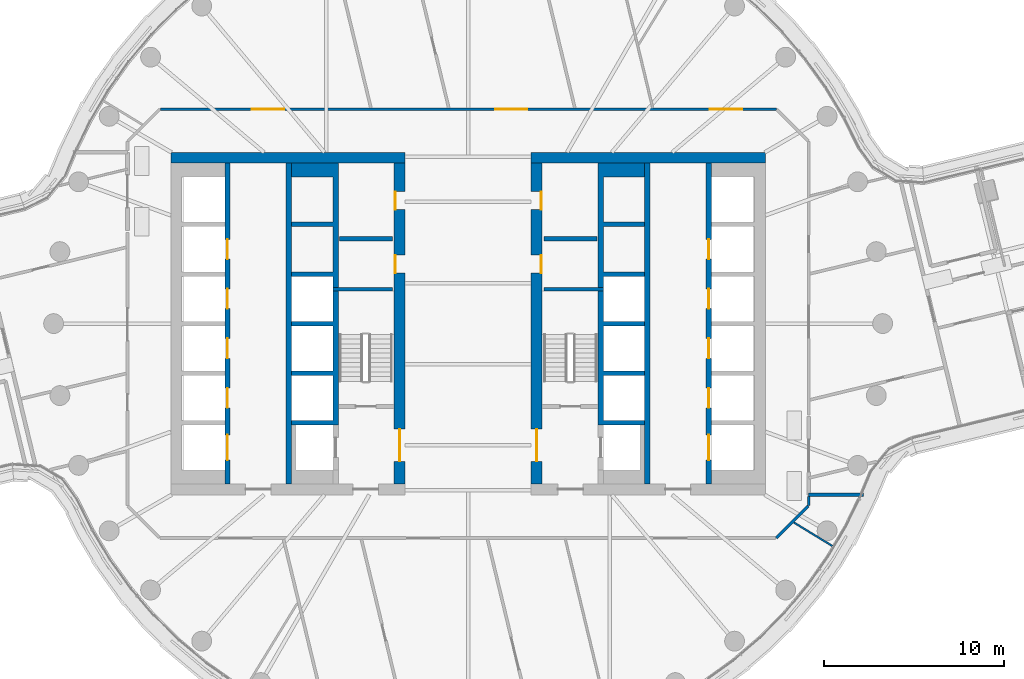
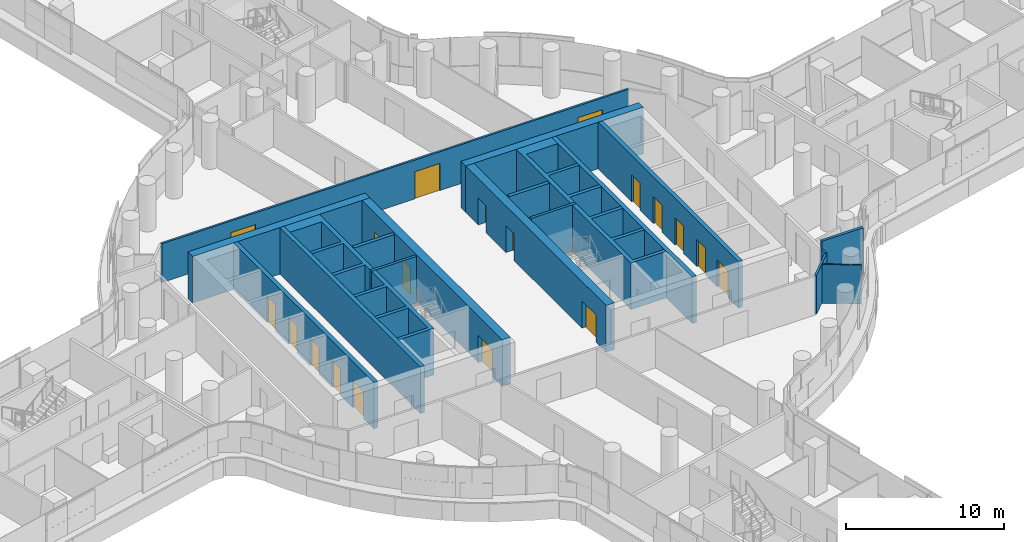
# One storey, part 21 of 33: 19 doors, 19 walls, 19 openings.
"""IFC4 building model written with IfcOpenShell, lengths in metres."""

from ifc_helpers import new_model, si_unit, direction, frame, frame_2d, origin, place, context, subcontext, project, spatial, polyline, rectangle, outline, extrude, material, layer, layer_set, type_object, element, fill, save


model = new_model("IFC4")

# Units and contexts
model_context = context("Model", 3, precision=1e-05, world=origin(), true_north=direction((0.0, 1.0)))
body_context = subcontext(model_context, "Body", "Model", "MODEL_VIEW")
ifc_project = project(units=[si_unit("LENGTHUNIT", "METRE"), si_unit("AREAUNIT", "SQUARE_METRE"), si_unit("VOLUMEUNIT", "CUBIC_METRE"), si_unit("PLANEANGLEUNIT", "RADIAN"), si_unit("MASSUNIT", "GRAM", prefix="KILO")], contexts=[model_context])

# Site, building, storey
site_placement = place(None, origin())
site = spatial("IfcSite", under=ifc_project, at=site_placement, CompositionType="ELEMENT")
building_placement = place(site_placement, origin())
building = spatial("IfcBuilding", under=site, at=building_placement, Name="Tamarind Cross Interchange Tower", CompositionType="ELEMENT")
storey_placement = place(building_placement, frame((0.0, 0.0, 83.5)))
storey = spatial("IfcBuildingStorey", under=building, at=storey_placement, Name="L19", CompositionType="ELEMENT", Elevation=83.5)

# Walls
ifc_material_1 = material(Name="Concrete C40", Category="concrete")
ifc_layer_1 = layer(ifc_material_1, 0.199951171875)
ifc_layer_set_1 = layer_set([ifc_layer_1], Name="Concrete C40")
wall_type_1 = type_object("IfcWallType", Name="Balcony and garden door wall", PredefinedType="SOLIDWALL", material=ifc_layer_set_1)
wall_1_placement = place(storey_placement, frame((18.89990234375, -9.5, 0.0), z_axis=(0.0, 0.0, 1.0), x_axis=(1.0, 0.0, 0.0)))
element("IfcWall", 1, at=wall_1_placement, inside=storey, type_object=wall_type_1, Name="EXW-L19-WG-L19-SE-R0", PredefinedType="SOLIDWALL", context=body_context, shape_type="SweptSolid", body=[
    extrude(rectangle(XDim=3.03466796875, YDim=0.199951171875, at=frame_2d((1.517333984375, 0.0))), origin(), (0.0, 0.0, 1.0), 3.610107421875),
])
ifc_material_2 = material(Name="Concrete C70", Category="concrete")
ifc_layer_2 = layer(ifc_material_2, 0.60009765625)
ifc_layer_set_2 = layer_set([ifc_layer_2], Name="Concrete C70")
wall_type_2 = type_object("IfcWallType", Name="Core wall 600 mm Concrete C70", PredefinedType="SHEAR", material=ifc_layer_set_2)
wall_2_placement = place(storey_placement, frame((-16.5, 9.199951171875, 0.0), z_axis=(0.0, 0.0, 1.0), x_axis=(1.0, 0.0, 0.0)))
element("IfcWall", 2, at=wall_2_placement, inside=storey, type_object=wall_type_2, Name="Core wall CWL-L19-W-NE", PredefinedType="SHEAR", context=body_context, shape_type="SweptSolid", body=[
    extrude(rectangle(XDim=13.0, YDim=0.60009765625, at=frame_2d((6.5, 0.0))), origin(), (0.0, 0.0, 1.0), 3.610107421875),
])

# Wall, openings, doors
wall_3_placement = place(storey_placement, frame((-3.800048828125, -8.89990234375, 0.0), z_axis=(0.0, 0.0, 1.0), x_axis=(0.0, 1.0, 0.0)))
wall_3 = element("IfcWall", 3, at=wall_3_placement, inside=storey, type_object=wall_type_2, Name="Core wall CWL-L19-W-IN", PredefinedType="SHEAR", context=body_context, shape_type="SweptSolid", body=[
    extrude(rectangle(XDim=17.7998046875, YDim=0.60009765625, at=frame_2d((8.89990234375, 0.0))), origin(), (0.0, 0.0, 1.0), 3.610107421875),
])
opening_1_placement = place(wall_3_placement, frame((1.25, 0.0, 0.0)))
opening_1 = element("IfcOpeningElement", 4, at=opening_1_placement, cuts=wall_3, Name="Opening DCW4", PredefinedType="OPENING", context=body_context, shape_type="SweptSolid", body=[
    extrude(rectangle(XDim=1.800048828125, YDim=2.10009765625, at=frame_2d((0.89990234375, 1.050048828125))), frame((0.0, 0.31005859375, 0.0), z_axis=(0.0, -1.0, 0.0), x_axis=(1.0, 0.0, 0.0)), (0.0, 0.0, 1.0), 0.6201171875),
])
opening_2_placement = place(wall_3_placement, frame((11.697509765625, 0.0, 0.0)))
opening_2 = element("IfcOpeningElement", 5, at=opening_2_placement, cuts=wall_3, Name="Opening DCW5", PredefinedType="OPENING", context=body_context, shape_type="SweptSolid", body=[
    extrude(rectangle(XDim=1.0, YDim=2.10009765625, at=frame_2d((0.5, 1.050048828125))), frame((0.0, 0.31005859375, 0.0), z_axis=(0.0, -1.0, 0.0), x_axis=(1.0, 0.0, 0.0)), (0.0, 0.0, 1.0), 0.6201171875),
])
opening_3_placement = place(wall_3_placement, frame((15.222412109375, 0.0, 0.0)))
opening_3 = element("IfcOpeningElement", 6, at=opening_3_placement, cuts=wall_3, Name="Opening DCW5", PredefinedType="OPENING", context=body_context, shape_type="SweptSolid", body=[
    extrude(rectangle(XDim=1.0, YDim=2.10009765625, at=frame_2d((0.5, 1.050048828125))), frame((0.0, 0.31005859375, 0.0), z_axis=(0.0, -1.0, 0.0), x_axis=(1.0, 0.0, 0.0)), (0.0, 0.0, 1.0), 0.6201171875),
])
ifc_material_3 = material(Name="Steel, fire-resisting", Category="steel")
door_type_1 = type_object("IfcDoorType", Name="Core fire door 1000 x 2100 FD90", OperationType="SINGLE_SWING_LEFT", PredefinedType="DOOR", material=ifc_material_3)
door_1_placement = place(opening_2_placement, origin())
door_1 = element("IfcDoor", 7, at=door_1_placement, inside=storey, type_object=door_type_1, Name="L19 comms room door", OperationType="SINGLE_SWING_LEFT", OverallHeight=2.10009765625, OverallWidth=1.0, PredefinedType="DOOR", context=body_context, shape_type="SweptSolid", body=[
    extrude(rectangle(XDim=1.0, YDim=2.10009765625, at=frame_2d((0.5, 1.050048828125))), frame((0.0, 0.27490234375, 0.0), z_axis=(0.0, -1.0, 0.0), x_axis=(1.0, 0.0, 0.0)), (0.0, 0.0, 1.0), 0.050048828125),
])
fill(opening_2, door_1)
door_2_placement = place(opening_3_placement, origin())
door_2 = element("IfcDoor", 8, at=door_2_placement, inside=storey, type_object=door_type_1, Name="L19 cleaner's store door", OperationType="SINGLE_SWING_LEFT", OverallHeight=2.10009765625, OverallWidth=1.0, PredefinedType="DOOR", context=body_context, shape_type="SweptSolid", body=[
    extrude(rectangle(XDim=1.0, YDim=2.10009765625, at=frame_2d((0.5, 1.050048828125))), frame((0.0, 0.27490234375, 0.0), z_axis=(0.0, -1.0, 0.0), x_axis=(1.0, 0.0, 0.0)), (0.0, 0.0, 1.0), 0.050048828125),
])
fill(opening_3, door_2)
door_type_2 = type_object("IfcDoorType", Name="Core fire door 1800 x 2100 FD90", OperationType="SINGLE_SWING_LEFT", PredefinedType="DOOR", material=ifc_material_3)
door_3_placement = place(opening_1_placement, origin())
door_3 = element("IfcDoor", 9, at=door_3_placement, inside=storey, type_object=door_type_2, Name="L19 firefighting lobby door", OperationType="SINGLE_SWING_LEFT", OverallHeight=2.10009765625, OverallWidth=1.800048828125, PredefinedType="DOOR", context=body_context, shape_type="SweptSolid", body=[
    extrude(rectangle(XDim=1.800048828125, YDim=2.10009765625, at=frame_2d((0.89990234375, 1.050048828125))), frame((0.0, 0.02490234375, 0.0), z_axis=(0.0, -1.0, 0.0), x_axis=(1.0, 0.0, 0.0)), (0.0, 0.0, 1.0), 0.050048828125),
])
fill(opening_1, door_3)

# Wall
wall_4_placement = place(storey_placement, frame((16.5, 9.199951171875, 0.0), z_axis=(0.0, 0.0, 1.0), x_axis=(-1.0, 0.0, 0.0)))
element("IfcWall", 10, at=wall_4_placement, inside=storey, type_object=wall_type_2, Name="Core wall CWL-L19-E-NE", PredefinedType="SHEAR", context=body_context, shape_type="SweptSolid", body=[
    extrude(rectangle(XDim=13.0, YDim=0.60009765625, at=frame_2d((6.5, 0.0))), origin(), (0.0, 0.0, 1.0), 3.610107421875),
])

# Wall, openings, doors
wall_5_placement = place(storey_placement, frame((3.800048828125, -8.89990234375, 0.0), z_axis=(0.0, 0.0, 1.0), x_axis=(0.0, 1.0, 0.0)))
wall_5 = element("IfcWall", 11, at=wall_5_placement, inside=storey, type_object=wall_type_2, Name="Core wall CWL-L19-E-IN", PredefinedType="SHEAR", context=body_context, shape_type="SweptSolid", body=[
    extrude(rectangle(XDim=17.7998046875, YDim=0.60009765625, at=frame_2d((8.89990234375, 0.0))), origin(), (0.0, 0.0, 1.0), 3.610107421875),
])
opening_4_placement = place(wall_5_placement, frame((1.25, 0.0, 0.0)))
opening_4 = element("IfcOpeningElement", 12, at=opening_4_placement, cuts=wall_5, Name="Opening DCE4", PredefinedType="OPENING", context=body_context, shape_type="SweptSolid", body=[
    extrude(rectangle(XDim=1.800048828125, YDim=2.10009765625, at=frame_2d((0.89990234375, 1.050048828125))), frame((0.0, 0.31005859375, 0.0), z_axis=(0.0, -1.0, 0.0), x_axis=(1.0, 0.0, 0.0)), (0.0, 0.0, 1.0), 0.6201171875),
])
opening_5_placement = place(wall_5_placement, frame((11.697509765625, 0.0, 0.0)))
opening_5 = element("IfcOpeningElement", 13, at=opening_5_placement, cuts=wall_5, Name="Opening DCE5", PredefinedType="OPENING", context=body_context, shape_type="SweptSolid", body=[
    extrude(rectangle(XDim=1.0, YDim=2.10009765625, at=frame_2d((0.5, 1.050048828125))), frame((0.0, 0.31005859375, 0.0), z_axis=(0.0, -1.0, 0.0), x_axis=(1.0, 0.0, 0.0)), (0.0, 0.0, 1.0), 0.6201171875),
])
opening_6_placement = place(wall_5_placement, frame((15.222412109375, 0.0, 0.0)))
opening_6 = element("IfcOpeningElement", 14, at=opening_6_placement, cuts=wall_5, Name="Opening DCE5", PredefinedType="OPENING", context=body_context, shape_type="SweptSolid", body=[
    extrude(rectangle(XDim=1.0, YDim=2.10009765625, at=frame_2d((0.5, 1.050048828125))), frame((0.0, 0.31005859375, 0.0), z_axis=(0.0, -1.0, 0.0), x_axis=(1.0, 0.0, 0.0)), (0.0, 0.0, 1.0), 0.6201171875),
])
door_4_placement = place(opening_5_placement, origin())
door_4 = element("IfcDoor", 15, at=door_4_placement, inside=storey, type_object=door_type_1, Name="L19 comms room door", OperationType="SINGLE_SWING_LEFT", OverallHeight=2.10009765625, OverallWidth=1.0, PredefinedType="DOOR", context=body_context, shape_type="SweptSolid", body=[
    extrude(rectangle(XDim=1.0, YDim=2.10009765625, at=frame_2d((0.5, 1.050048828125))), frame((0.0, -0.22509765625, 0.0), z_axis=(0.0, -1.0, 0.0), x_axis=(1.0, 0.0, 0.0)), (0.0, 0.0, 1.0), 0.050048828125),
])
fill(opening_5, door_4)
door_5_placement = place(opening_6_placement, origin())
door_5 = element("IfcDoor", 16, at=door_5_placement, inside=storey, type_object=door_type_1, Name="L19 cleaner's store door", OperationType="SINGLE_SWING_LEFT", OverallHeight=2.10009765625, OverallWidth=1.0, PredefinedType="DOOR", context=body_context, shape_type="SweptSolid", body=[
    extrude(rectangle(XDim=1.0, YDim=2.10009765625, at=frame_2d((0.5, 1.050048828125))), frame((0.0, -0.22509765625, 0.0), z_axis=(0.0, -1.0, 0.0), x_axis=(1.0, 0.0, 0.0)), (0.0, 0.0, 1.0), 0.050048828125),
])
fill(opening_6, door_5)
door_6_placement = place(opening_4_placement, origin())
door_6 = element("IfcDoor", 17, at=door_6_placement, inside=storey, type_object=door_type_2, Name="L19 firefighting lobby door", OperationType="SINGLE_SWING_LEFT", OverallHeight=2.10009765625, OverallWidth=1.800048828125, PredefinedType="DOOR", context=body_context, shape_type="SweptSolid", body=[
    extrude(rectangle(XDim=1.800048828125, YDim=2.10009765625, at=frame_2d((0.89990234375, 1.050048828125))), frame((0.0, 0.02490234375, 0.0), z_axis=(0.0, -1.0, 0.0), x_axis=(1.0, 0.0, 0.0)), (0.0, 0.0, 1.0), 0.050048828125),
])
fill(opening_4, door_6)

# Walls
ifc_layer_3 = layer(ifc_material_2, 0.199951171875)
ifc_layer_set_3 = layer_set([ifc_layer_3], Name="Concrete C70")
wall_type_3 = type_object("IfcWallType", Name="Core web wall 200 mm Concrete C70", PredefinedType="SHEAR", material=ifc_layer_set_3)
for number, where, z_axis, x_axis, name in (
    (18, (-7.5, 1.89990234375, 0.0), (0.0, 0.0, 1.0), (1.0, 0.0, 0.0), "Core wall CWL-L19-W-BD"),
    (19, (7.5, 1.89990234375, 0.0), (0.0, 0.0, 1.0), (-1.0, 0.0, 0.0), "Core wall CWL-L19-E-BD"),
):
    element("IfcWall", number, at=place(storey_placement, frame(where, z_axis=z_axis, x_axis=x_axis)), inside=storey, type_object=wall_type_3, Name=name, PredefinedType="SHEAR", context=body_context, shape_type="SweptSolid", body=[
        extrude(rectangle(XDim=3.300048828125, YDim=0.199951171875, at=frame_2d((1.64990234375, 0.0))), origin(), (0.0, 0.0, 1.0), 3.610107421875),
    ])
ifc_layer_4 = layer(ifc_material_2, 0.300048828125)
ifc_layer_set_4 = layer_set([ifc_layer_4], Name="Concrete C70")
wall_type_4 = type_object("IfcWallType", Name="Core web wall 300 mm Concrete C70", PredefinedType="SHEAR", material=ifc_layer_set_4)
wall_6_placement = place(storey_placement, origin())
element("IfcWall", 20, at=wall_6_placement, inside=storey, type_object=wall_type_4, Name="Core wall CWL-L19-W-BN", PredefinedType="SHEAR", context=body_context, shape_type="SweptSolid", body=[
    extrude(outline(polyline([(-9.800048828125, -5.375), (-9.800048828125, -5.625), (-7.5, -5.625), (-7.199951171875, -5.625), (-7.199951171875, 8.89990234375), (-7.5, 8.89990234375), (-9.800048828125, 8.89990234375), (-9.800048828125, 8.125), (-7.5, 8.125), (-7.5, 5.625), (-9.800048828125, 5.625), (-9.800048828125, 5.375), (-7.5, 5.375), (-7.5, 2.875), (-9.800048828125, 2.875), (-9.800048828125, 2.625), (-7.5, 2.625), (-7.5, 0.125), (-9.800048828125, 0.125), (-9.800048828125, -0.125), (-7.5, -0.125), (-7.5, -2.625), (-9.800048828125, -2.625), (-9.800048828125, -2.875), (-7.5, -2.875), (-7.5, -5.375), (-9.800048828125, -5.375)])), origin(), (0.0, 0.0, 1.0), 3.610107421875),
])

# Wall, openings, doors
wall_7_placement = place(storey_placement, frame((-13.35009765625, -8.89990234375, 0.0), z_axis=(0.0, 0.0, 1.0), x_axis=(0.0, 1.0, 0.0)))
wall_7 = element("IfcWall", 21, at=wall_7_placement, inside=storey, type_object=wall_type_4, Name="Core wall CWL-L19-W-LA", PredefinedType="SHEAR", context=body_context, shape_type="SweptSolid", body=[
    extrude(rectangle(XDim=17.7998046875, YDim=0.300048828125, at=frame_2d((8.89990234375, 0.0))), origin(), (0.0, 0.0, 1.0), 3.610107421875),
])
opening_7_placement = place(wall_7_placement, frame((1.324951171875, 0.0, 0.0)))
opening_7 = element("IfcOpeningElement", 22, at=opening_7_placement, cuts=wall_7, Name="Opening LD1L19", PredefinedType="OPENING", context=body_context, shape_type="SweptSolid", body=[
    extrude(rectangle(XDim=1.39990234375, YDim=2.10009765625, at=frame_2d((0.699951171875, 1.050048828125))), frame((0.0, 0.159912109375, 0.0), z_axis=(0.0, -1.0, 0.0), x_axis=(1.0, 0.0, 0.0)), (0.0, 0.0, 1.0), 0.320068359375),
])
opening_8_placement = place(wall_7_placement, frame((4.22509765625, 0.0, 0.0)))
opening_8 = element("IfcOpeningElement", 23, at=opening_8_placement, cuts=wall_7, Name="Opening LD2L19", PredefinedType="OPENING", context=body_context, shape_type="SweptSolid", body=[
    extrude(rectangle(XDim=1.10009765625, YDim=2.10009765625, at=frame_2d((0.550048828125, 1.050048828125))), frame((0.0, 0.159912109375, 0.0), z_axis=(0.0, -1.0, 0.0), x_axis=(1.0, 0.0, 0.0)), (0.0, 0.0, 1.0), 0.320068359375),
])
opening_9_placement = place(wall_7_placement, frame((6.97509765625, 0.0, 0.0)))
opening_9 = element("IfcOpeningElement", 24, at=opening_9_placement, cuts=wall_7, Name="Opening LD3L19", PredefinedType="OPENING", context=body_context, shape_type="SweptSolid", body=[
    extrude(rectangle(XDim=1.10009765625, YDim=2.10009765625, at=frame_2d((0.550048828125, 1.050048828125))), frame((0.0, 0.159912109375, 0.0), z_axis=(0.0, -1.0, 0.0), x_axis=(1.0, 0.0, 0.0)), (0.0, 0.0, 1.0), 0.320068359375),
])
opening_10_placement = place(wall_7_placement, frame((9.72509765625, 0.0, 0.0)))
opening_10 = element("IfcOpeningElement", 25, at=opening_10_placement, cuts=wall_7, Name="Opening LD4L19", PredefinedType="OPENING", context=body_context, shape_type="SweptSolid", body=[
    extrude(rectangle(XDim=1.10009765625, YDim=2.10009765625, at=frame_2d((0.550048828125, 1.050048828125))), frame((0.0, 0.159912109375, 0.0), z_axis=(0.0, -1.0, 0.0), x_axis=(1.0, 0.0, 0.0)), (0.0, 0.0, 1.0), 0.320068359375),
])
opening_11_placement = place(wall_7_placement, frame((12.47509765625, 0.0, 0.0)))
opening_11 = element("IfcOpeningElement", 26, at=opening_11_placement, cuts=wall_7, Name="Opening LD5L19", PredefinedType="OPENING", context=body_context, shape_type="SweptSolid", body=[
    extrude(rectangle(XDim=1.10009765625, YDim=2.10009765625, at=frame_2d((0.550048828125, 1.050048828125))), frame((0.0, 0.159912109375, 0.0), z_axis=(0.0, -1.0, 0.0), x_axis=(1.0, 0.0, 0.0)), (0.0, 0.0, 1.0), 0.320068359375),
])
ifc_material_4 = material(Name="Stainless steel panel", Category="steel")
door_type_3 = type_object("IfcDoorType", Name="Lift landing door 1100 x 2100 E 120", OperationType="SLIDING_TO_LEFT", PredefinedType="DOOR", material=ifc_material_4)
door_7_placement = place(opening_8_placement, origin())
door_7 = element("IfcDoor", 27, at=door_7_placement, inside=storey, type_object=door_type_3, Name="L19 landing door LF2", OperationType="SLIDING_TO_LEFT", OverallHeight=2.10009765625, OverallWidth=1.10009765625, PredefinedType="DOOR", context=body_context, shape_type="SweptSolid", body=[
    extrude(rectangle(XDim=1.10009765625, YDim=2.10009765625, at=frame_2d((0.550048828125, 1.050048828125))), frame((0.0, 0.02490234375, 0.0), z_axis=(0.0, -1.0, 0.0), x_axis=(1.0, 0.0, 0.0)), (0.0, 0.0, 1.0), 0.050048828125),
])
fill(opening_8, door_7)
door_8_placement = place(opening_9_placement, origin())
door_8 = element("IfcDoor", 28, at=door_8_placement, inside=storey, type_object=door_type_3, Name="L19 landing door LF3", OperationType="SLIDING_TO_LEFT", OverallHeight=2.10009765625, OverallWidth=1.10009765625, PredefinedType="DOOR", context=body_context, shape_type="SweptSolid", body=[
    extrude(rectangle(XDim=1.10009765625, YDim=2.10009765625, at=frame_2d((0.550048828125, 1.050048828125))), frame((0.0, 0.02490234375, 0.0), z_axis=(0.0, -1.0, 0.0), x_axis=(1.0, 0.0, 0.0)), (0.0, 0.0, 1.0), 0.050048828125),
])
fill(opening_9, door_8)
door_9_placement = place(opening_10_placement, origin())
door_9 = element("IfcDoor", 29, at=door_9_placement, inside=storey, type_object=door_type_3, Name="L19 landing door LF4", OperationType="SLIDING_TO_LEFT", OverallHeight=2.10009765625, OverallWidth=1.10009765625, PredefinedType="DOOR", context=body_context, shape_type="SweptSolid", body=[
    extrude(rectangle(XDim=1.10009765625, YDim=2.10009765625, at=frame_2d((0.550048828125, 1.050048828125))), frame((0.0, 0.02490234375, 0.0), z_axis=(0.0, -1.0, 0.0), x_axis=(1.0, 0.0, 0.0)), (0.0, 0.0, 1.0), 0.050048828125),
])
fill(opening_10, door_9)
door_10_placement = place(opening_11_placement, origin())
door_10 = element("IfcDoor", 30, at=door_10_placement, inside=storey, type_object=door_type_3, Name="L19 landing door LF5", OperationType="SLIDING_TO_LEFT", OverallHeight=2.10009765625, OverallWidth=1.10009765625, PredefinedType="DOOR", context=body_context, shape_type="SweptSolid", body=[
    extrude(rectangle(XDim=1.10009765625, YDim=2.10009765625, at=frame_2d((0.550048828125, 1.050048828125))), frame((0.0, 0.02490234375, 0.0), z_axis=(0.0, -1.0, 0.0), x_axis=(1.0, 0.0, 0.0)), (0.0, 0.0, 1.0), 0.050048828125),
])
fill(opening_11, door_10)
door_type_4 = type_object("IfcDoorType", Name="Lift landing door 1400 x 2100 E 120", OperationType="SLIDING_TO_LEFT", PredefinedType="DOOR", material=ifc_material_4)
door_11_placement = place(opening_7_placement, origin())
door_11 = element("IfcDoor", 31, at=door_11_placement, inside=storey, type_object=door_type_4, Name="L19 landing door LF1", OperationType="SLIDING_TO_LEFT", OverallHeight=2.10009765625, OverallWidth=1.39990234375, PredefinedType="DOOR", context=body_context, shape_type="SweptSolid", body=[
    extrude(rectangle(XDim=1.39990234375, YDim=2.10009765625, at=frame_2d((0.699951171875, 1.050048828125))), frame((0.0, 0.02490234375, 0.0), z_axis=(0.0, -1.0, 0.0), x_axis=(1.0, 0.0, 0.0)), (0.0, 0.0, 1.0), 0.050048828125),
])
fill(opening_7, door_11)

# Walls
wall_8_placement = place(storey_placement, frame((-9.949951171875, -8.89990234375, 0.0), z_axis=(0.0, 0.0, 1.0), x_axis=(0.0, 1.0, 0.0)))
element("IfcWall", 32, at=wall_8_placement, inside=storey, type_object=wall_type_4, Name="Core wall CWL-L19-W-LB", PredefinedType="SHEAR", context=body_context, shape_type="SweptSolid", body=[
    extrude(rectangle(XDim=17.7998046875, YDim=0.300048828125, at=frame_2d((8.89990234375, 0.0))), origin(), (0.0, 0.0, 1.0), 3.610107421875),
])
wall_9_placement = place(storey_placement, origin())
element("IfcWall", 33, at=wall_9_placement, inside=storey, type_object=wall_type_4, Name="Core wall CWL-L19-E-BN", PredefinedType="SHEAR", context=body_context, shape_type="SweptSolid", body=[
    extrude(outline(polyline([(9.800048828125, -5.375), (7.5, -5.375), (7.5, -2.875), (9.800048828125, -2.875), (9.800048828125, -2.625), (7.5, -2.625), (7.5, -0.125), (9.800048828125, -0.125), (9.800048828125, 0.125), (7.5, 0.125), (7.5, 2.625), (9.800048828125, 2.625), (9.800048828125, 2.875), (7.5, 2.875), (7.5, 5.375), (9.800048828125, 5.375), (9.800048828125, 5.625), (7.5, 5.625), (7.5, 8.125), (9.800048828125, 8.125), (9.800048828125, 8.89990234375), (7.5, 8.89990234375), (7.199951171875, 8.89990234375), (7.199951171875, -5.625), (7.5, -5.625), (9.800048828125, -5.625), (9.800048828125, -5.375)])), origin(), (0.0, 0.0, 1.0), 3.610107421875),
])

# Wall, openings, doors
wall_10_placement = place(storey_placement, frame((13.35009765625, -8.89990234375, 0.0), z_axis=(0.0, 0.0, 1.0), x_axis=(0.0, 1.0, 0.0)))
wall_10 = element("IfcWall", 34, at=wall_10_placement, inside=storey, type_object=wall_type_4, Name="Core wall CWL-L19-E-LA", PredefinedType="SHEAR", context=body_context, shape_type="SweptSolid", body=[
    extrude(rectangle(XDim=17.7998046875, YDim=0.300048828125, at=frame_2d((8.89990234375, 0.0))), origin(), (0.0, 0.0, 1.0), 3.610107421875),
])
opening_12_placement = place(wall_10_placement, frame((1.324951171875, 0.0, 0.0)))
opening_12 = element("IfcOpeningElement", 35, at=opening_12_placement, cuts=wall_10, Name="Opening LD13L19", PredefinedType="OPENING", context=body_context, shape_type="SweptSolid", body=[
    extrude(rectangle(XDim=1.39990234375, YDim=2.10009765625, at=frame_2d((0.699951171875, 1.050048828125))), frame((0.0, 0.159912109375, 0.0), z_axis=(0.0, -1.0, 0.0), x_axis=(1.0, 0.0, 0.0)), (0.0, 0.0, 1.0), 0.320068359375),
])
opening_13_placement = place(wall_10_placement, frame((4.22509765625, 0.0, 0.0)))
opening_13 = element("IfcOpeningElement", 36, at=opening_13_placement, cuts=wall_10, Name="Opening LD14L19", PredefinedType="OPENING", context=body_context, shape_type="SweptSolid", body=[
    extrude(rectangle(XDim=1.10009765625, YDim=2.10009765625, at=frame_2d((0.550048828125, 1.050048828125))), frame((0.0, 0.159912109375, 0.0), z_axis=(0.0, -1.0, 0.0), x_axis=(1.0, 0.0, 0.0)), (0.0, 0.0, 1.0), 0.320068359375),
])
opening_14_placement = place(wall_10_placement, frame((6.97509765625, 0.0, 0.0)))
opening_14 = element("IfcOpeningElement", 37, at=opening_14_placement, cuts=wall_10, Name="Opening LD15L19", PredefinedType="OPENING", context=body_context, shape_type="SweptSolid", body=[
    extrude(rectangle(XDim=1.10009765625, YDim=2.10009765625, at=frame_2d((0.550048828125, 1.050048828125))), frame((0.0, 0.159912109375, 0.0), z_axis=(0.0, -1.0, 0.0), x_axis=(1.0, 0.0, 0.0)), (0.0, 0.0, 1.0), 0.320068359375),
])
opening_15_placement = place(wall_10_placement, frame((9.72509765625, 0.0, 0.0)))
opening_15 = element("IfcOpeningElement", 38, at=opening_15_placement, cuts=wall_10, Name="Opening LD16L19", PredefinedType="OPENING", context=body_context, shape_type="SweptSolid", body=[
    extrude(rectangle(XDim=1.10009765625, YDim=2.10009765625, at=frame_2d((0.550048828125, 1.050048828125))), frame((0.0, 0.159912109375, 0.0), z_axis=(0.0, -1.0, 0.0), x_axis=(1.0, 0.0, 0.0)), (0.0, 0.0, 1.0), 0.320068359375),
])
opening_16_placement = place(wall_10_placement, frame((12.47509765625, 0.0, 0.0)))
opening_16 = element("IfcOpeningElement", 39, at=opening_16_placement, cuts=wall_10, Name="Opening LD17L19", PredefinedType="OPENING", context=body_context, shape_type="SweptSolid", body=[
    extrude(rectangle(XDim=1.10009765625, YDim=2.10009765625, at=frame_2d((0.550048828125, 1.050048828125))), frame((0.0, 0.159912109375, 0.0), z_axis=(0.0, -1.0, 0.0), x_axis=(1.0, 0.0, 0.0)), (0.0, 0.0, 1.0), 0.320068359375),
])
door_12_placement = place(opening_13_placement, origin())
door_12 = element("IfcDoor", 40, at=door_12_placement, inside=storey, type_object=door_type_3, Name="L19 landing door LF14", OperationType="SLIDING_TO_LEFT", OverallHeight=2.10009765625, OverallWidth=1.10009765625, PredefinedType="DOOR", context=body_context, shape_type="SweptSolid", body=[
    extrude(rectangle(XDim=1.10009765625, YDim=2.10009765625, at=frame_2d((0.550048828125, 1.050048828125))), frame((0.0, 0.02490234375, 0.0), z_axis=(0.0, -1.0, 0.0), x_axis=(1.0, 0.0, 0.0)), (0.0, 0.0, 1.0), 0.050048828125),
])
fill(opening_13, door_12)
door_13_placement = place(opening_14_placement, origin())
door_13 = element("IfcDoor", 41, at=door_13_placement, inside=storey, type_object=door_type_3, Name="L19 landing door LF15", OperationType="SLIDING_TO_LEFT", OverallHeight=2.10009765625, OverallWidth=1.10009765625, PredefinedType="DOOR", context=body_context, shape_type="SweptSolid", body=[
    extrude(rectangle(XDim=1.10009765625, YDim=2.10009765625, at=frame_2d((0.550048828125, 1.050048828125))), frame((0.0, 0.02490234375, 0.0), z_axis=(0.0, -1.0, 0.0), x_axis=(1.0, 0.0, 0.0)), (0.0, 0.0, 1.0), 0.050048828125),
])
fill(opening_14, door_13)
door_14_placement = place(opening_15_placement, origin())
door_14 = element("IfcDoor", 42, at=door_14_placement, inside=storey, type_object=door_type_3, Name="L19 landing door LF16", OperationType="SLIDING_TO_LEFT", OverallHeight=2.10009765625, OverallWidth=1.10009765625, PredefinedType="DOOR", context=body_context, shape_type="SweptSolid", body=[
    extrude(rectangle(XDim=1.10009765625, YDim=2.10009765625, at=frame_2d((0.550048828125, 1.050048828125))), frame((0.0, 0.02490234375, 0.0), z_axis=(0.0, -1.0, 0.0), x_axis=(1.0, 0.0, 0.0)), (0.0, 0.0, 1.0), 0.050048828125),
])
fill(opening_15, door_14)
door_15_placement = place(opening_16_placement, origin())
door_15 = element("IfcDoor", 43, at=door_15_placement, inside=storey, type_object=door_type_3, Name="L19 landing door LF17", OperationType="SLIDING_TO_LEFT", OverallHeight=2.10009765625, OverallWidth=1.10009765625, PredefinedType="DOOR", context=body_context, shape_type="SweptSolid", body=[
    extrude(rectangle(XDim=1.10009765625, YDim=2.10009765625, at=frame_2d((0.550048828125, 1.050048828125))), frame((0.0, 0.02490234375, 0.0), z_axis=(0.0, -1.0, 0.0), x_axis=(1.0, 0.0, 0.0)), (0.0, 0.0, 1.0), 0.050048828125),
])
fill(opening_16, door_15)
door_16_placement = place(opening_12_placement, origin())
door_16 = element("IfcDoor", 44, at=door_16_placement, inside=storey, type_object=door_type_4, Name="L19 landing door LF13", OperationType="SLIDING_TO_LEFT", OverallHeight=2.10009765625, OverallWidth=1.39990234375, PredefinedType="DOOR", context=body_context, shape_type="SweptSolid", body=[
    extrude(rectangle(XDim=1.39990234375, YDim=2.10009765625, at=frame_2d((0.699951171875, 1.050048828125))), frame((0.0, 0.02490234375, 0.0), z_axis=(0.0, -1.0, 0.0), x_axis=(1.0, 0.0, 0.0)), (0.0, 0.0, 1.0), 0.050048828125),
])
fill(opening_12, door_16)

# Walls
wall_11_placement = place(storey_placement, frame((9.949951171875, -8.89990234375, 0.0), z_axis=(0.0, 0.0, 1.0), x_axis=(0.0, 1.0, 0.0)))
element("IfcWall", 45, at=wall_11_placement, inside=storey, type_object=wall_type_4, Name="Core wall CWL-L19-E-LB", PredefinedType="SHEAR", context=body_context, shape_type="SweptSolid", body=[
    extrude(rectangle(XDim=17.7998046875, YDim=0.300048828125, at=frame_2d((8.89990234375, 0.0))), origin(), (0.0, 0.0, 1.0), 3.610107421875),
])
ifc_material_5 = material(Name="Gypsum board partition on steel studs", Category="steel")
ifc_layer_5 = layer(ifc_material_5, 0.10009765625)
ifc_layer_set_5 = layer_set([ifc_layer_5], Name="Gypsum board partition on steel studs")
wall_type_5 = type_object("IfcWallType", Name="Partition 100 mm EI 90", PredefinedType="PARTITIONING", material=ifc_layer_set_5)
wall_12_placement = place(storey_placement, frame((18.07763671875, -11.037841796875, 0.0), z_axis=(0.0, 0.0, 1.0), x_axis=(0.853480027223, -0.521125554096, 0.0)))
element("IfcWall", 46, at=wall_12_placement, inside=storey, type_object=wall_type_5, Name="Partition L19-040", PredefinedType="PARTITIONING", context=body_context, shape_type="SweptSolid", body=[
    extrude(rectangle(XDim=2.49609375, YDim=0.10009765625, at=frame_2d((1.248046875, 0.0))), origin(), (0.0, 0.0, 1.0), 3.010009765625),
])

# Wall, openings, doors
ifc_layer_6 = layer(ifc_material_5, 0.14990234375)
ifc_layer_set_6 = layer_set([ifc_layer_6], Name="Gypsum board partition on steel studs")
wall_type_6 = type_object("IfcWallType", Name="Partition 150 mm EI 120", PredefinedType="PARTITIONING", material=ifc_layer_set_6)
wall_13_placement = place(storey_placement, frame((-17.06494140625, 11.89990234375, 0.0), z_axis=(0.0, 0.0, 1.0), x_axis=(1.0, 0.0, 0.0)))
wall_13 = element("IfcWall", 47, at=wall_13_placement, inside=storey, type_object=wall_type_6, Name="Partition L19-042", PredefinedType="PARTITIONING", context=body_context, shape_type="SweptSolid", body=[
    extrude(rectangle(XDim=34.1650390625, YDim=0.14990234375, at=frame_2d((17.08251953125, 0.0))), origin(), (0.0, 0.0, 1.0), 3.010009765625),
])
opening_17_placement = place(wall_13_placement, frame((18.556884765625, 0.0, 0.0)))
opening_17 = element("IfcOpeningElement", 48, at=opening_17_placement, cuts=wall_13, Name="Opening D21", PredefinedType="OPENING", context=body_context, shape_type="SweptSolid", body=[
    extrude(rectangle(XDim=1.800048828125, YDim=2.10009765625, at=frame_2d((0.89990234375, 1.050048828125))), frame((0.0, 0.0849609375, 0.0), z_axis=(0.0, -1.0, 0.0), x_axis=(1.0, 0.0, 0.0)), (0.0, 0.0, 1.0), 0.169921875),
])
opening_18_placement = place(wall_13_placement, frame((30.47412109375, 0.0, 0.0)))
opening_18 = element("IfcOpeningElement", 49, at=opening_18_placement, cuts=wall_13, Name="Opening D22", PredefinedType="OPENING", context=body_context, shape_type="SweptSolid", body=[
    extrude(rectangle(XDim=1.800048828125, YDim=2.10009765625, at=frame_2d((0.89990234375, 1.050048828125))), frame((0.0, 0.0849609375, 0.0), z_axis=(0.0, -1.0, 0.0), x_axis=(1.0, 0.0, 0.0)), (0.0, 0.0, 1.0), 0.169921875),
])
opening_19_placement = place(wall_13_placement, frame((5.06494140625, 0.0, 0.0)))
opening_19 = element("IfcOpeningElement", 50, at=opening_19_placement, cuts=wall_13, Name="Opening D23", PredefinedType="OPENING", context=body_context, shape_type="SweptSolid", body=[
    extrude(rectangle(XDim=1.800048828125, YDim=2.10009765625, at=frame_2d((0.89990234375, 1.050048828125))), frame((0.0, 0.0849609375, 0.0), z_axis=(0.0, -1.0, 0.0), x_axis=(1.0, 0.0, 0.0)), (0.0, 0.0, 1.0), 0.169921875),
])
ifc_material_6 = material(Name="Fire-resisting door set")
door_type_5 = type_object("IfcDoorType", Name="Interior door 1800 x 2100 FD60S", OperationType="DOUBLE_DOOR_SINGLE_SWING", PredefinedType="DOOR", material=ifc_material_6)
door_17_placement = place(opening_17_placement, frame((1.800048828125, 0.0, 0.0), z_axis=(0.0, 0.0, 1.0), x_axis=(-1.0, 0.0, 0.0)))
door_17 = element("IfcDoor", 51, at=door_17_placement, inside=storey, type_object=door_type_5, Name="Door D21", OperationType="DOUBLE_DOOR_SINGLE_SWING", OverallHeight=2.10009765625, OverallWidth=1.800048828125, PredefinedType="DOOR", context=body_context, shape_type="SweptSolid", body=[
    extrude(rectangle(XDim=1.800048828125, YDim=2.10009765625, at=frame_2d((0.89990234375, 1.050048828125))), frame((0.0, 0.02490234375, 0.0), z_axis=(0.0, -1.0, 0.0), x_axis=(1.0, 0.0, 0.0)), (0.0, 0.0, 1.0), 0.050048828125),
])
fill(opening_17, door_17)
door_18_placement = place(opening_18_placement, origin())
door_18 = element("IfcDoor", 52, at=door_18_placement, inside=storey, type_object=door_type_5, Name="Door D22", OperationType="DOUBLE_DOOR_SINGLE_SWING", OverallHeight=2.10009765625, OverallWidth=1.800048828125, PredefinedType="DOOR", context=body_context, shape_type="SweptSolid", body=[
    extrude(rectangle(XDim=1.800048828125, YDim=2.10009765625, at=frame_2d((0.89990234375, 1.050048828125))), frame((0.0, 0.02490234375, 0.0), z_axis=(0.0, -1.0, 0.0), x_axis=(1.0, 0.0, 0.0)), (0.0, 0.0, 1.0), 0.050048828125),
])
fill(opening_18, door_18)
door_19_placement = place(opening_19_placement, origin())
door_19 = element("IfcDoor", 53, at=door_19_placement, inside=storey, type_object=door_type_5, Name="Door D23", OperationType="DOUBLE_DOOR_SINGLE_SWING", OverallHeight=2.10009765625, OverallWidth=1.800048828125, PredefinedType="DOOR", context=body_context, shape_type="SweptSolid", body=[
    extrude(rectangle(XDim=1.800048828125, YDim=2.10009765625, at=frame_2d((0.89990234375, 1.050048828125))), frame((0.0, 0.02490234375, 0.0), z_axis=(0.0, -1.0, 0.0), x_axis=(1.0, 0.0, 0.0)), (0.0, 0.0, 1.0), 0.050048828125),
])
fill(opening_19, door_19)

# Walls
wall_14_placement = place(storey_placement, frame((17.10009765625, -11.89990234375, 0.0), z_axis=(0.0, 0.0, 1.0), x_axis=(0.707106781187, 0.707106781187, 0.0)))
element("IfcWall", 54, at=wall_14_placement, inside=storey, type_object=wall_type_6, Name="Partition L19-080", PredefinedType="PARTITIONING", context=body_context, shape_type="SweptSolid", body=[
    extrude(rectangle(XDim=2.50537109375, YDim=0.14990234375, at=frame_2d((1.252685546875, 0.0))), origin(), (0.0, 0.0, 1.0), 3.010009765625),
])
wall_15_placement = place(storey_placement, frame((18.89990234375, -10.10009765625, 0.0), z_axis=(0.0, 0.0, 1.0), x_axis=(0.0, 1.0, 0.0)))
element("IfcWall", 55, at=wall_15_placement, inside=storey, type_object=wall_type_6, Name="Partition L19-085", PredefinedType="PARTITIONING", context=body_context, shape_type="SweptSolid", body=[
    extrude(rectangle(XDim=0.5, YDim=0.14990234375, at=frame_2d((0.25, 0.0))), origin(), (0.0, 0.0, 1.0), 3.010009765625),
])
ifc_layer_7 = layer(ifc_material_1, 0.25)
ifc_layer_set_7 = layer_set([ifc_layer_7], Name="Concrete C40")
wall_type_7 = type_object("IfcWallType", Name="Shaft and lobby wall 250 mm Concrete C40", PredefinedType="PARTITIONING", material=ifc_layer_set_7)
for number, where, z_axis, x_axis, name in (
    (56, (-7.14990234375, 4.719970703125, 0.0), (0.0, 0.0, 1.0), (1.0, 0.0, 0.0), "Shaft wall CWL-L19-W-SVP"),
    (57, (7.14990234375, 4.719970703125, 0.0), (0.0, 0.0, 1.0), (-1.0, 0.0, 0.0), "Shaft wall CWL-L19-E-SVP"),
):
    element("IfcWall", number, at=place(storey_placement, frame(where, z_axis=z_axis, x_axis=x_axis)), inside=storey, type_object=wall_type_7, Name=name, PredefinedType="PARTITIONING", context=body_context, shape_type="SweptSolid", body=[
        extrude(rectangle(XDim=2.949951171875, YDim=0.25, at=frame_2d((1.47509765625, 0.0))), origin(), (0.0, 0.0, 1.0), 3.610107421875),
    ])

save(model, "model.ifc")
